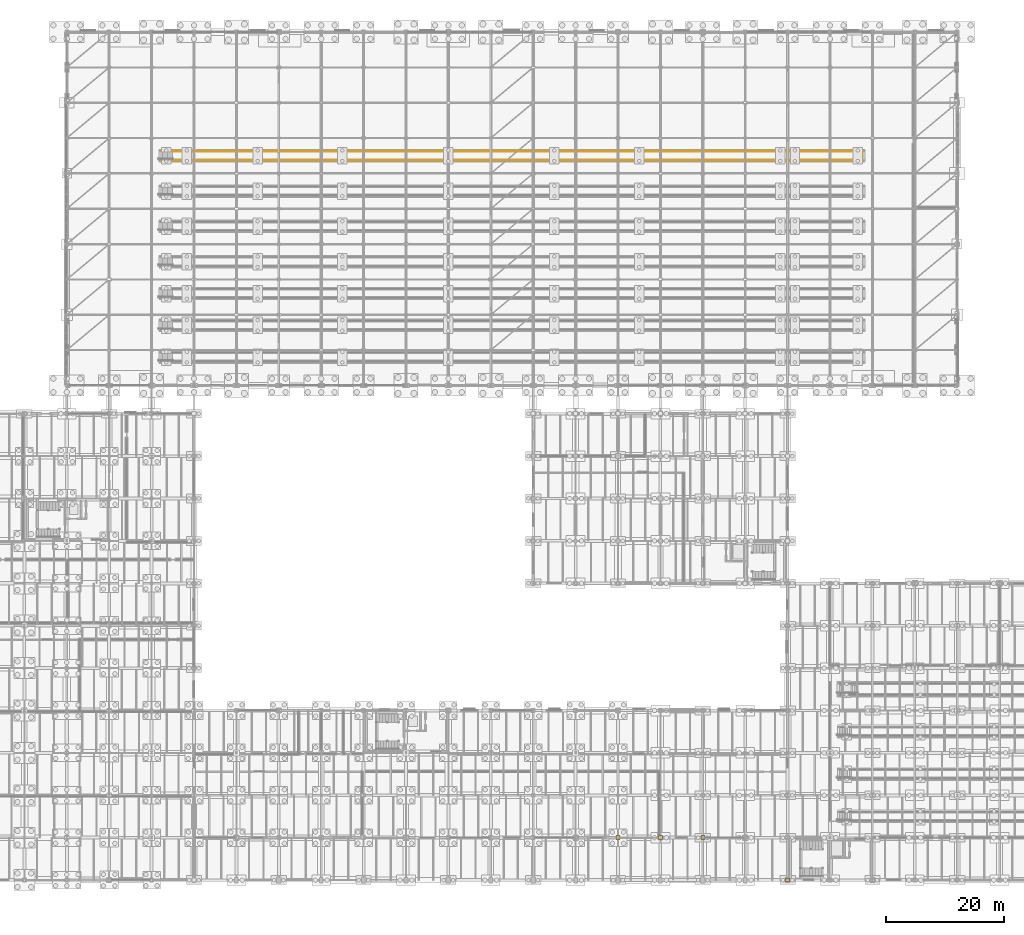
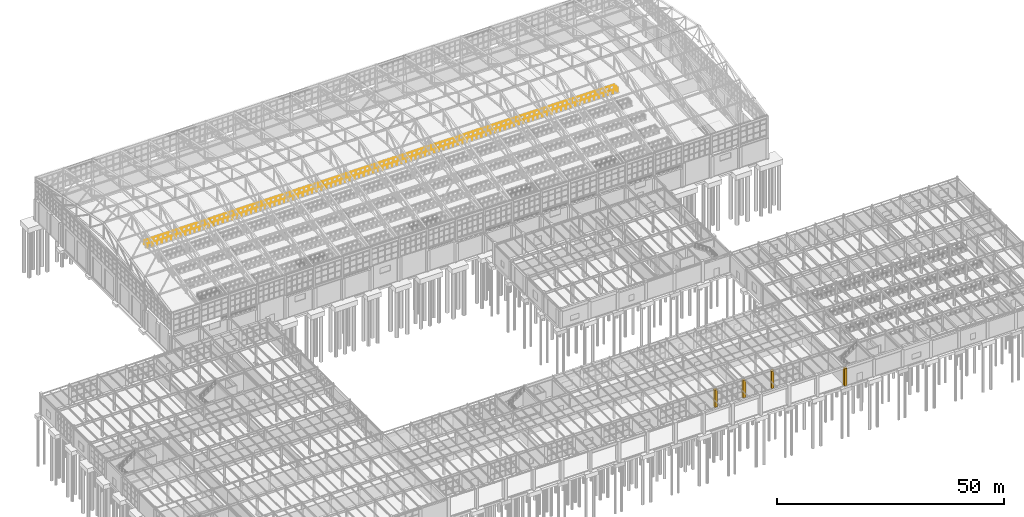
# One storey, part 288 of 293: 4 coverings, 1 railing.
"""IFC4 building model written with IfcOpenShell, lengths in metres."""

from ifc_helpers import new_model, si_unit, direction, frame, origin, origin_2d, place, context, subcontext, project, spatial, polyline, circle, outline, extrude, material, layer, layer_set, type_object, element, save


model = new_model("IFC4")

# Units and contexts
model_context = context("Model", 3, precision=1e-05, world=origin(), true_north=direction((0.0, 1.0)))
body_context = subcontext(model_context, "Body", "Model", "MODEL_VIEW")
ifc_project = project(units=[si_unit("LENGTHUNIT", "METRE"), si_unit("AREAUNIT", "SQUARE_METRE"), si_unit("VOLUMEUNIT", "CUBIC_METRE"), si_unit("PLANEANGLEUNIT", "RADIAN"), si_unit("MASSUNIT", "GRAM", prefix="KILO")], contexts=[model_context])

# Site, building, storey
site_placement = place(None, origin())
site = spatial("IfcSite", under=ifc_project, at=site_placement, CompositionType="ELEMENT")
building_placement = place(site_placement, origin())
building = spatial("IfcBuilding", under=site, at=building_placement, Name="Kemerveld Promenade Tramway Depot", CompositionType="ELEMENT")
storey_placement = place(building_placement, origin())
storey = spatial("IfcBuildingStorey", under=building, at=storey_placement, Name="L00", CompositionType="ELEMENT", Elevation=0.0)

# Coverings
ifc_material_1 = material(Name="Dressed Harare granite ashlar cladding", Category="masonry")
ifc_layer = layer(ifc_material_1, 0.050048828125)
ifc_layer_set = layer_set([ifc_layer], Name="COV-CLAD-GRAN")
covering_type = type_object("IfcCoveringType", Name="COV-CLAD-GRAN", PredefinedType="CLADDING", material=ifc_layer_set)
covering_1_placement = place(storey_placement, origin())
element("IfcCovering", 1, at=covering_1_placement, inside=storey, type_object=covering_type, Name="CLAD-PIER-L00-118", PredefinedType="CLADDING", context=body_context, shape_type="SweptSolid", body=[
    extrude(outline(polyline([(143.659912109375, 6.860107421875), (144.340087890625, 6.860107421875), (144.340087890625, 7.5400390625), (143.659912109375, 7.5400390625), (143.659912109375, 6.860107421875)])), origin(), (0.0, 0.0, 1.0), 4.64990234375),
])
covering_2_placement = place(storey_placement, origin())
element("IfcCovering", 2, at=covering_2_placement, inside=storey, type_object=covering_type, Name="CLAD-PIER-L00-119", PredefinedType="CLADDING", context=body_context, shape_type="SweptSolid", body=[
    extrude(outline(polyline([(136.4599609375, 6.860107421875), (137.139892578125, 6.860107421875), (137.139892578125, 7.5400390625), (136.4599609375, 7.5400390625), (136.4599609375, 6.860107421875)])), origin(), (0.0, 0.0, 1.0), 4.64990234375),
])
covering_3_placement = place(storey_placement, origin())
element("IfcCovering", 3, at=covering_3_placement, inside=storey, type_object=covering_type, Name="CLAD-PIER-L00-120", PredefinedType="CLADDING", context=body_context, shape_type="SweptSolid", body=[
    extrude(outline(polyline([(129.260009765625, 6.860107421875), (129.93994140625, 6.860107421875), (129.93994140625, 7.5400390625), (129.260009765625, 7.5400390625), (129.260009765625, 6.860107421875)])), origin(), (0.0, 0.0, 1.0), 4.64990234375),
])
covering_4_placement = place(storey_placement, origin())
element("IfcCovering", 4, at=covering_4_placement, inside=storey, type_object=covering_type, Name="CLAD-PIER-L00-185", PredefinedType="CLADDING", context=body_context, shape_type="SweptSolid", body=[
    extrude(outline(polyline([(158.06005859375, -0.340087890625), (158.739990234375, -0.340087890625), (158.739990234375, 0.340087890625), (158.06005859375, 0.340087890625), (158.06005859375, -0.340087890625)])), origin(), (0.0, 0.0, 1.0), 4.64990234375),
])

# Railing
ifc_material_2 = material(Name="Galvanised painted steel balustrade", Category="steel")
railing_type = type_object("IfcRailingType", Name="RL-GRD-1100", PredefinedType="GUARDRAIL", material=ifc_material_2)
railing_placement = place(storey_placement, frame((51.949951171875, 122.39501953125, 0.0)))
element("IfcRailing", 5, at=railing_placement, inside=storey, type_object=railing_type, Name="RL-PIT-PIT-07", PredefinedType="GUARDRAIL", context=body_context, shape_type="SweptSolid", body=[
    extrude(circle(Radius=0.02392578125, at=origin_2d()), frame((0.0, 0.0, 1.09619140625), z_axis=(0.0, -1.0, 0.0), x_axis=(1.0, 0.0, 0.0)), (0.0, 0.0, 1.0), 0.14501953125),
    extrude(circle(Radius=0.02392578125, at=origin_2d()), frame((0.0, -0.14501953125, 1.09619140625), z_axis=(1.0, 0.0, 0.0), x_axis=(0.0, 1.0, 0.0)), (0.0, 0.0, 1.0), 119.300048828125),
    extrude(circle(Radius=0.02392578125, at=origin_2d()), frame((119.300048828125, -0.14501953125, 1.09619140625), z_axis=(0.0, 1.0, 0.0), x_axis=(-1.0, 0.0, 0.0)), (0.0, 0.0, 1.0), 1.5),
    extrude(circle(Radius=0.02392578125, at=origin_2d()), frame((119.300048828125, 1.35498046875, 1.09619140625), z_axis=(-1.0, 0.0, 0.0), x_axis=(0.0, -1.0, 0.0)), (0.0, 0.0, 1.0), 119.300048828125),
    extrude(circle(Radius=0.02392578125, at=origin_2d()), frame((0.0, 1.35498046875, 1.09619140625), z_axis=(0.0, -1.0, 0.0), x_axis=(1.0, 0.0, 0.0)), (0.0, 0.0, 1.0), 0.14501953125),
    extrude(circle(Radius=0.02099609375, at=origin_2d()), origin(), (0.0, 0.0, 1.0), 1.072021484375),
    extrude(circle(Radius=0.02099609375, at=origin_2d()), frame((0.0, -0.14501953125, 0.0)), (0.0, 0.0, 1.0), 1.072021484375),
    extrude(circle(Radius=0.02099609375, at=origin_2d()), frame((1.193115234375, -0.14501953125, 0.0)), (0.0, 0.0, 1.0), 1.072021484375),
    extrude(circle(Radius=0.02099609375, at=origin_2d()), frame((2.385986328125, -0.14501953125, 0.0)), (0.0, 0.0, 1.0), 1.072021484375),
    extrude(circle(Radius=0.02099609375, at=origin_2d()), frame((3.5791015625, -0.14501953125, 0.0)), (0.0, 0.0, 1.0), 1.072021484375),
    extrude(circle(Radius=0.02099609375, at=origin_2d()), frame((4.77197265625, -0.14501953125, 0.0)), (0.0, 0.0, 1.0), 1.072021484375),
    extrude(circle(Radius=0.02099609375, at=origin_2d()), frame((5.965087890625, -0.14501953125, 0.0)), (0.0, 0.0, 1.0), 1.072021484375),
    extrude(circle(Radius=0.02099609375, at=origin_2d()), frame((7.157958984375, -0.14501953125, 0.0)), (0.0, 0.0, 1.0), 1.072021484375),
    extrude(circle(Radius=0.02099609375, at=origin_2d()), frame((8.35107421875, -0.14501953125, 0.0)), (0.0, 0.0, 1.0), 1.072021484375),
    extrude(circle(Radius=0.02099609375, at=origin_2d()), frame((9.5439453125, -0.14501953125, 0.0)), (0.0, 0.0, 1.0), 1.072021484375),
    extrude(circle(Radius=0.02099609375, at=origin_2d()), frame((10.737060546875, -0.14501953125, 0.0)), (0.0, 0.0, 1.0), 1.072021484375),
    extrude(circle(Radius=0.02099609375, at=origin_2d()), frame((11.929931640625, -0.14501953125, 0.0)), (0.0, 0.0, 1.0), 1.072021484375),
    extrude(circle(Radius=0.02099609375, at=origin_2d()), frame((13.123046875, -0.14501953125, 0.0)), (0.0, 0.0, 1.0), 1.072021484375),
    extrude(circle(Radius=0.02099609375, at=origin_2d()), frame((14.31591796875, -0.14501953125, 0.0)), (0.0, 0.0, 1.0), 1.072021484375),
    extrude(circle(Radius=0.02099609375, at=origin_2d()), frame((15.509033203125, -0.14501953125, 0.0)), (0.0, 0.0, 1.0), 1.072021484375),
    extrude(circle(Radius=0.02099609375, at=origin_2d()), frame((16.701904296875, -0.14501953125, 0.0)), (0.0, 0.0, 1.0), 1.072021484375),
    extrude(circle(Radius=0.02099609375, at=origin_2d()), frame((17.89501953125, -0.14501953125, 0.0)), (0.0, 0.0, 1.0), 1.072021484375),
    extrude(circle(Radius=0.02099609375, at=origin_2d()), frame((19.087890625, -0.14501953125, 0.0)), (0.0, 0.0, 1.0), 1.072021484375),
    extrude(circle(Radius=0.02099609375, at=origin_2d()), frame((20.281005859375, -0.14501953125, 0.0)), (0.0, 0.0, 1.0), 1.072021484375),
    extrude(circle(Radius=0.02099609375, at=origin_2d()), frame((21.47412109375, -0.14501953125, 0.0)), (0.0, 0.0, 1.0), 1.072021484375),
    extrude(circle(Radius=0.02099609375, at=origin_2d()), frame((22.6669921875, -0.14501953125, 0.0)), (0.0, 0.0, 1.0), 1.072021484375),
    extrude(circle(Radius=0.02099609375, at=origin_2d()), frame((23.860107421875, -0.14501953125, 0.0)), (0.0, 0.0, 1.0), 1.072021484375),
    extrude(circle(Radius=0.02099609375, at=origin_2d()), frame((25.052978515625, -0.14501953125, 0.0)), (0.0, 0.0, 1.0), 1.072021484375),
    extrude(circle(Radius=0.02099609375, at=origin_2d()), frame((26.24609375, -0.14501953125, 0.0)), (0.0, 0.0, 1.0), 1.072021484375),
    extrude(circle(Radius=0.02099609375, at=origin_2d()), frame((27.43896484375, -0.14501953125, 0.0)), (0.0, 0.0, 1.0), 1.072021484375),
    extrude(circle(Radius=0.02099609375, at=origin_2d()), frame((28.632080078125, -0.14501953125, 0.0)), (0.0, 0.0, 1.0), 1.072021484375),
    extrude(circle(Radius=0.02099609375, at=origin_2d()), frame((29.824951171875, -0.14501953125, 0.0)), (0.0, 0.0, 1.0), 1.072021484375),
    extrude(circle(Radius=0.02099609375, at=origin_2d()), frame((31.01806640625, -0.14501953125, 0.0)), (0.0, 0.0, 1.0), 1.072021484375),
    extrude(circle(Radius=0.02099609375, at=origin_2d()), frame((32.2109375, -0.14501953125, 0.0)), (0.0, 0.0, 1.0), 1.072021484375),
    extrude(circle(Radius=0.02099609375, at=origin_2d()), frame((33.404052734375, -0.14501953125, 0.0)), (0.0, 0.0, 1.0), 1.072021484375),
    extrude(circle(Radius=0.02099609375, at=origin_2d()), frame((34.596923828125, -0.14501953125, 0.0)), (0.0, 0.0, 1.0), 1.072021484375),
    extrude(circle(Radius=0.02099609375, at=origin_2d()), frame((35.7900390625, -0.14501953125, 0.0)), (0.0, 0.0, 1.0), 1.072021484375),
    extrude(circle(Radius=0.02099609375, at=origin_2d()), frame((36.98291015625, -0.14501953125, 0.0)), (0.0, 0.0, 1.0), 1.072021484375),
    extrude(circle(Radius=0.02099609375, at=origin_2d()), frame((38.176025390625, -0.14501953125, 0.0)), (0.0, 0.0, 1.0), 1.072021484375),
    extrude(circle(Radius=0.02099609375, at=origin_2d()), frame((39.368896484375, -0.14501953125, 0.0)), (0.0, 0.0, 1.0), 1.072021484375),
    extrude(circle(Radius=0.02099609375, at=origin_2d()), frame((40.56201171875, -0.14501953125, 0.0)), (0.0, 0.0, 1.0), 1.072021484375),
    extrude(circle(Radius=0.02099609375, at=origin_2d()), frame((41.755126953125, -0.14501953125, 0.0)), (0.0, 0.0, 1.0), 1.072021484375),
    extrude(circle(Radius=0.02099609375, at=origin_2d()), frame((42.947998046875, -0.14501953125, 0.0)), (0.0, 0.0, 1.0), 1.072021484375),
    extrude(circle(Radius=0.02099609375, at=origin_2d()), frame((44.14111328125, -0.14501953125, 0.0)), (0.0, 0.0, 1.0), 1.072021484375),
    extrude(circle(Radius=0.02099609375, at=origin_2d()), frame((45.333984375, -0.14501953125, 0.0)), (0.0, 0.0, 1.0), 1.072021484375),
    extrude(circle(Radius=0.02099609375, at=origin_2d()), frame((46.527099609375, -0.14501953125, 0.0)), (0.0, 0.0, 1.0), 1.072021484375),
    extrude(circle(Radius=0.02099609375, at=origin_2d()), frame((47.719970703125, -0.14501953125, 0.0)), (0.0, 0.0, 1.0), 1.072021484375),
    extrude(circle(Radius=0.02099609375, at=origin_2d()), frame((48.9130859375, -0.14501953125, 0.0)), (0.0, 0.0, 1.0), 1.072021484375),
    extrude(circle(Radius=0.02099609375, at=origin_2d()), frame((50.10595703125, -0.14501953125, 0.0)), (0.0, 0.0, 1.0), 1.072021484375),
    extrude(circle(Radius=0.02099609375, at=origin_2d()), frame((51.299072265625, -0.14501953125, 0.0)), (0.0, 0.0, 1.0), 1.072021484375),
    extrude(circle(Radius=0.02099609375, at=origin_2d()), frame((52.491943359375, -0.14501953125, 0.0)), (0.0, 0.0, 1.0), 1.072021484375),
    extrude(circle(Radius=0.02099609375, at=origin_2d()), frame((53.68505859375, -0.14501953125, 0.0)), (0.0, 0.0, 1.0), 1.072021484375),
    extrude(circle(Radius=0.02099609375, at=origin_2d()), frame((54.8779296875, -0.14501953125, 0.0)), (0.0, 0.0, 1.0), 1.072021484375),
    extrude(circle(Radius=0.02099609375, at=origin_2d()), frame((56.071044921875, -0.14501953125, 0.0)), (0.0, 0.0, 1.0), 1.072021484375),
    extrude(circle(Radius=0.02099609375, at=origin_2d()), frame((57.263916015625, -0.14501953125, 0.0)), (0.0, 0.0, 1.0), 1.072021484375),
    extrude(circle(Radius=0.02099609375, at=origin_2d()), frame((58.45703125, -0.14501953125, 0.0)), (0.0, 0.0, 1.0), 1.072021484375),
    extrude(circle(Radius=0.02099609375, at=origin_2d()), frame((59.64990234375, -0.14501953125, 0.0)), (0.0, 0.0, 1.0), 1.072021484375),
    extrude(circle(Radius=0.02099609375, at=origin_2d()), frame((60.843017578125, -0.14501953125, 0.0)), (0.0, 0.0, 1.0), 1.072021484375),
    extrude(circle(Radius=0.02099609375, at=origin_2d()), frame((62.0361328125, -0.14501953125, 0.0)), (0.0, 0.0, 1.0), 1.072021484375),
    extrude(circle(Radius=0.02099609375, at=origin_2d()), frame((63.22900390625, -0.14501953125, 0.0)), (0.0, 0.0, 1.0), 1.072021484375),
    extrude(circle(Radius=0.02099609375, at=origin_2d()), frame((64.422119140625, -0.14501953125, 0.0)), (0.0, 0.0, 1.0), 1.072021484375),
    extrude(circle(Radius=0.02099609375, at=origin_2d()), frame((65.614990234375, -0.14501953125, 0.0)), (0.0, 0.0, 1.0), 1.072021484375),
    extrude(circle(Radius=0.02099609375, at=origin_2d()), frame((66.80810546875, -0.14501953125, 0.0)), (0.0, 0.0, 1.0), 1.072021484375),
    extrude(circle(Radius=0.02099609375, at=origin_2d()), frame((68.0009765625, -0.14501953125, 0.0)), (0.0, 0.0, 1.0), 1.072021484375),
    extrude(circle(Radius=0.02099609375, at=origin_2d()), frame((69.194091796875, -0.14501953125, 0.0)), (0.0, 0.0, 1.0), 1.072021484375),
    extrude(circle(Radius=0.02099609375, at=origin_2d()), frame((70.386962890625, -0.14501953125, 0.0)), (0.0, 0.0, 1.0), 1.072021484375),
    extrude(circle(Radius=0.02099609375, at=origin_2d()), frame((71.580078125, -0.14501953125, 0.0)), (0.0, 0.0, 1.0), 1.072021484375),
    extrude(circle(Radius=0.02099609375, at=origin_2d()), frame((72.77294921875, -0.14501953125, 0.0)), (0.0, 0.0, 1.0), 1.072021484375),
    extrude(circle(Radius=0.02099609375, at=origin_2d()), frame((73.966064453125, -0.14501953125, 0.0)), (0.0, 0.0, 1.0), 1.072021484375),
    extrude(circle(Radius=0.02099609375, at=origin_2d()), frame((75.158935546875, -0.14501953125, 0.0)), (0.0, 0.0, 1.0), 1.072021484375),
    extrude(circle(Radius=0.02099609375, at=origin_2d()), frame((76.35205078125, -0.14501953125, 0.0)), (0.0, 0.0, 1.0), 1.072021484375),
    extrude(circle(Radius=0.02099609375, at=origin_2d()), frame((77.544921875, -0.14501953125, 0.0)), (0.0, 0.0, 1.0), 1.072021484375),
    extrude(circle(Radius=0.02099609375, at=origin_2d()), frame((78.738037109375, -0.14501953125, 0.0)), (0.0, 0.0, 1.0), 1.072021484375),
    extrude(circle(Radius=0.02099609375, at=origin_2d()), frame((79.93115234375, -0.14501953125, 0.0)), (0.0, 0.0, 1.0), 1.072021484375),
    extrude(circle(Radius=0.02099609375, at=origin_2d()), frame((81.1240234375, -0.14501953125, 0.0)), (0.0, 0.0, 1.0), 1.072021484375),
    extrude(circle(Radius=0.02099609375, at=origin_2d()), frame((82.317138671875, -0.14501953125, 0.0)), (0.0, 0.0, 1.0), 1.072021484375),
    extrude(circle(Radius=0.02099609375, at=origin_2d()), frame((83.510009765625, -0.14501953125, 0.0)), (0.0, 0.0, 1.0), 1.072021484375),
    extrude(circle(Radius=0.02099609375, at=origin_2d()), frame((84.703125, -0.14501953125, 0.0)), (0.0, 0.0, 1.0), 1.072021484375),
    extrude(circle(Radius=0.02099609375, at=origin_2d()), frame((85.89599609375, -0.14501953125, 0.0)), (0.0, 0.0, 1.0), 1.072021484375),
    extrude(circle(Radius=0.02099609375, at=origin_2d()), frame((87.089111328125, -0.14501953125, 0.0)), (0.0, 0.0, 1.0), 1.072021484375),
    extrude(circle(Radius=0.02099609375, at=origin_2d()), frame((88.281982421875, -0.14501953125, 0.0)), (0.0, 0.0, 1.0), 1.072021484375),
    extrude(circle(Radius=0.02099609375, at=origin_2d()), frame((89.47509765625, -0.14501953125, 0.0)), (0.0, 0.0, 1.0), 1.072021484375),
    extrude(circle(Radius=0.02099609375, at=origin_2d()), frame((90.66796875, -0.14501953125, 0.0)), (0.0, 0.0, 1.0), 1.072021484375),
    extrude(circle(Radius=0.02099609375, at=origin_2d()), frame((91.861083984375, -0.14501953125, 0.0)), (0.0, 0.0, 1.0), 1.072021484375),
    extrude(circle(Radius=0.02099609375, at=origin_2d()), frame((93.053955078125, -0.14501953125, 0.0)), (0.0, 0.0, 1.0), 1.072021484375),
    extrude(circle(Radius=0.02099609375, at=origin_2d()), frame((94.2470703125, -0.14501953125, 0.0)), (0.0, 0.0, 1.0), 1.072021484375),
    extrude(circle(Radius=0.02099609375, at=origin_2d()), frame((95.43994140625, -0.14501953125, 0.0)), (0.0, 0.0, 1.0), 1.072021484375),
    extrude(circle(Radius=0.02099609375, at=origin_2d()), frame((96.633056640625, -0.14501953125, 0.0)), (0.0, 0.0, 1.0), 1.072021484375),
    extrude(circle(Radius=0.02099609375, at=origin_2d()), frame((97.825927734375, -0.14501953125, 0.0)), (0.0, 0.0, 1.0), 1.072021484375),
    extrude(circle(Radius=0.02099609375, at=origin_2d()), frame((99.01904296875, -0.14501953125, 0.0)), (0.0, 0.0, 1.0), 1.072021484375),
    extrude(circle(Radius=0.02099609375, at=origin_2d()), frame((100.212158203125, -0.14501953125, 0.0)), (0.0, 0.0, 1.0), 1.072021484375),
    extrude(circle(Radius=0.02099609375, at=origin_2d()), frame((101.405029296875, -0.14501953125, 0.0)), (0.0, 0.0, 1.0), 1.072021484375),
    extrude(circle(Radius=0.02099609375, at=origin_2d()), frame((102.59814453125, -0.14501953125, 0.0)), (0.0, 0.0, 1.0), 1.072021484375),
    extrude(circle(Radius=0.02099609375, at=origin_2d()), frame((103.791015625, -0.14501953125, 0.0)), (0.0, 0.0, 1.0), 1.072021484375),
    extrude(circle(Radius=0.02099609375, at=origin_2d()), frame((104.984130859375, -0.14501953125, 0.0)), (0.0, 0.0, 1.0), 1.072021484375),
    extrude(circle(Radius=0.02099609375, at=origin_2d()), frame((106.177001953125, -0.14501953125, 0.0)), (0.0, 0.0, 1.0), 1.072021484375),
    extrude(circle(Radius=0.02099609375, at=origin_2d()), frame((107.3701171875, -0.14501953125, 0.0)), (0.0, 0.0, 1.0), 1.072021484375),
    extrude(circle(Radius=0.02099609375, at=origin_2d()), frame((108.56298828125, -0.14501953125, 0.0)), (0.0, 0.0, 1.0), 1.072021484375),
    extrude(circle(Radius=0.02099609375, at=origin_2d()), frame((109.756103515625, -0.14501953125, 0.0)), (0.0, 0.0, 1.0), 1.072021484375),
    extrude(circle(Radius=0.02099609375, at=origin_2d()), frame((110.948974609375, -0.14501953125, 0.0)), (0.0, 0.0, 1.0), 1.072021484375),
    extrude(circle(Radius=0.02099609375, at=origin_2d()), frame((112.14208984375, -0.14501953125, 0.0)), (0.0, 0.0, 1.0), 1.072021484375),
    extrude(circle(Radius=0.02099609375, at=origin_2d()), frame((113.3349609375, -0.14501953125, 0.0)), (0.0, 0.0, 1.0), 1.072021484375),
    extrude(circle(Radius=0.02099609375, at=origin_2d()), frame((114.528076171875, -0.14501953125, 0.0)), (0.0, 0.0, 1.0), 1.072021484375),
    extrude(circle(Radius=0.02099609375, at=origin_2d()), frame((115.720947265625, -0.14501953125, 0.0)), (0.0, 0.0, 1.0), 1.072021484375),
    extrude(circle(Radius=0.02099609375, at=origin_2d()), frame((116.9140625, -0.14501953125, 0.0)), (0.0, 0.0, 1.0), 1.072021484375),
    extrude(circle(Radius=0.02099609375, at=origin_2d()), frame((118.10693359375, -0.14501953125, 0.0)), (0.0, 0.0, 1.0), 1.072021484375),
    extrude(circle(Radius=0.02099609375, at=origin_2d()), frame((119.300048828125, -0.14501953125, 0.0)), (0.0, 0.0, 1.0), 1.072021484375),
    extrude(circle(Radius=0.02099609375, at=origin_2d()), frame((119.300048828125, 0.60498046875, 0.0)), (0.0, 0.0, 1.0), 1.072021484375),
    extrude(circle(Radius=0.02099609375, at=origin_2d()), frame((119.300048828125, 1.35498046875, 0.0)), (0.0, 0.0, 1.0), 1.072021484375),
    extrude(circle(Radius=0.02099609375, at=origin_2d()), frame((118.10693359375, 1.35498046875, 0.0)), (0.0, 0.0, 1.0), 1.072021484375),
    extrude(circle(Radius=0.02099609375, at=origin_2d()), frame((116.9140625, 1.35498046875, 0.0)), (0.0, 0.0, 1.0), 1.072021484375),
    extrude(circle(Radius=0.02099609375, at=origin_2d()), frame((115.720947265625, 1.35498046875, 0.0)), (0.0, 0.0, 1.0), 1.072021484375),
    extrude(circle(Radius=0.02099609375, at=origin_2d()), frame((114.528076171875, 1.35498046875, 0.0)), (0.0, 0.0, 1.0), 1.072021484375),
    extrude(circle(Radius=0.02099609375, at=origin_2d()), frame((113.3349609375, 1.35498046875, 0.0)), (0.0, 0.0, 1.0), 1.072021484375),
    extrude(circle(Radius=0.02099609375, at=origin_2d()), frame((112.14208984375, 1.35498046875, 0.0)), (0.0, 0.0, 1.0), 1.072021484375),
    extrude(circle(Radius=0.02099609375, at=origin_2d()), frame((110.948974609375, 1.35498046875, 0.0)), (0.0, 0.0, 1.0), 1.072021484375),
    extrude(circle(Radius=0.02099609375, at=origin_2d()), frame((109.756103515625, 1.35498046875, 0.0)), (0.0, 0.0, 1.0), 1.072021484375),
    extrude(circle(Radius=0.02099609375, at=origin_2d()), frame((108.56298828125, 1.35498046875, 0.0)), (0.0, 0.0, 1.0), 1.072021484375),
    extrude(circle(Radius=0.02099609375, at=origin_2d()), frame((107.3701171875, 1.35498046875, 0.0)), (0.0, 0.0, 1.0), 1.072021484375),
    extrude(circle(Radius=0.02099609375, at=origin_2d()), frame((106.177001953125, 1.35498046875, 0.0)), (0.0, 0.0, 1.0), 1.072021484375),
    extrude(circle(Radius=0.02099609375, at=origin_2d()), frame((104.984130859375, 1.35498046875, 0.0)), (0.0, 0.0, 1.0), 1.072021484375),
    extrude(circle(Radius=0.02099609375, at=origin_2d()), frame((103.791015625, 1.35498046875, 0.0)), (0.0, 0.0, 1.0), 1.072021484375),
    extrude(circle(Radius=0.02099609375, at=origin_2d()), frame((102.59814453125, 1.35498046875, 0.0)), (0.0, 0.0, 1.0), 1.072021484375),
    extrude(circle(Radius=0.02099609375, at=origin_2d()), frame((101.405029296875, 1.35498046875, 0.0)), (0.0, 0.0, 1.0), 1.072021484375),
    extrude(circle(Radius=0.02099609375, at=origin_2d()), frame((100.212158203125, 1.35498046875, 0.0)), (0.0, 0.0, 1.0), 1.072021484375),
    extrude(circle(Radius=0.02099609375, at=origin_2d()), frame((99.01904296875, 1.35498046875, 0.0)), (0.0, 0.0, 1.0), 1.072021484375),
    extrude(circle(Radius=0.02099609375, at=origin_2d()), frame((97.825927734375, 1.35498046875, 0.0)), (0.0, 0.0, 1.0), 1.072021484375),
    extrude(circle(Radius=0.02099609375, at=origin_2d()), frame((96.633056640625, 1.35498046875, 0.0)), (0.0, 0.0, 1.0), 1.072021484375),
    extrude(circle(Radius=0.02099609375, at=origin_2d()), frame((95.43994140625, 1.35498046875, 0.0)), (0.0, 0.0, 1.0), 1.072021484375),
    extrude(circle(Radius=0.02099609375, at=origin_2d()), frame((94.2470703125, 1.35498046875, 0.0)), (0.0, 0.0, 1.0), 1.072021484375),
    extrude(circle(Radius=0.02099609375, at=origin_2d()), frame((93.053955078125, 1.35498046875, 0.0)), (0.0, 0.0, 1.0), 1.072021484375),
    extrude(circle(Radius=0.02099609375, at=origin_2d()), frame((91.861083984375, 1.35498046875, 0.0)), (0.0, 0.0, 1.0), 1.072021484375),
    extrude(circle(Radius=0.02099609375, at=origin_2d()), frame((90.66796875, 1.35498046875, 0.0)), (0.0, 0.0, 1.0), 1.072021484375),
    extrude(circle(Radius=0.02099609375, at=origin_2d()), frame((89.47509765625, 1.35498046875, 0.0)), (0.0, 0.0, 1.0), 1.072021484375),
    extrude(circle(Radius=0.02099609375, at=origin_2d()), frame((88.281982421875, 1.35498046875, 0.0)), (0.0, 0.0, 1.0), 1.072021484375),
    extrude(circle(Radius=0.02099609375, at=origin_2d()), frame((87.089111328125, 1.35498046875, 0.0)), (0.0, 0.0, 1.0), 1.072021484375),
    extrude(circle(Radius=0.02099609375, at=origin_2d()), frame((85.89599609375, 1.35498046875, 0.0)), (0.0, 0.0, 1.0), 1.072021484375),
    extrude(circle(Radius=0.02099609375, at=origin_2d()), frame((84.703125, 1.35498046875, 0.0)), (0.0, 0.0, 1.0), 1.072021484375),
    extrude(circle(Radius=0.02099609375, at=origin_2d()), frame((83.510009765625, 1.35498046875, 0.0)), (0.0, 0.0, 1.0), 1.072021484375),
    extrude(circle(Radius=0.02099609375, at=origin_2d()), frame((82.317138671875, 1.35498046875, 0.0)), (0.0, 0.0, 1.0), 1.072021484375),
    extrude(circle(Radius=0.02099609375, at=origin_2d()), frame((81.1240234375, 1.35498046875, 0.0)), (0.0, 0.0, 1.0), 1.072021484375),
    extrude(circle(Radius=0.02099609375, at=origin_2d()), frame((79.93115234375, 1.35498046875, 0.0)), (0.0, 0.0, 1.0), 1.072021484375),
    extrude(circle(Radius=0.02099609375, at=origin_2d()), frame((78.738037109375, 1.35498046875, 0.0)), (0.0, 0.0, 1.0), 1.072021484375),
    extrude(circle(Radius=0.02099609375, at=origin_2d()), frame((77.544921875, 1.35498046875, 0.0)), (0.0, 0.0, 1.0), 1.072021484375),
    extrude(circle(Radius=0.02099609375, at=origin_2d()), frame((76.35205078125, 1.35498046875, 0.0)), (0.0, 0.0, 1.0), 1.072021484375),
    extrude(circle(Radius=0.02099609375, at=origin_2d()), frame((75.158935546875, 1.35498046875, 0.0)), (0.0, 0.0, 1.0), 1.072021484375),
    extrude(circle(Radius=0.02099609375, at=origin_2d()), frame((73.966064453125, 1.35498046875, 0.0)), (0.0, 0.0, 1.0), 1.072021484375),
    extrude(circle(Radius=0.02099609375, at=origin_2d()), frame((72.77294921875, 1.35498046875, 0.0)), (0.0, 0.0, 1.0), 1.072021484375),
    extrude(circle(Radius=0.02099609375, at=origin_2d()), frame((71.580078125, 1.35498046875, 0.0)), (0.0, 0.0, 1.0), 1.072021484375),
    extrude(circle(Radius=0.02099609375, at=origin_2d()), frame((70.386962890625, 1.35498046875, 0.0)), (0.0, 0.0, 1.0), 1.072021484375),
    extrude(circle(Radius=0.02099609375, at=origin_2d()), frame((69.194091796875, 1.35498046875, 0.0)), (0.0, 0.0, 1.0), 1.072021484375),
    extrude(circle(Radius=0.02099609375, at=origin_2d()), frame((68.0009765625, 1.35498046875, 0.0)), (0.0, 0.0, 1.0), 1.072021484375),
    extrude(circle(Radius=0.02099609375, at=origin_2d()), frame((66.80810546875, 1.35498046875, 0.0)), (0.0, 0.0, 1.0), 1.072021484375),
    extrude(circle(Radius=0.02099609375, at=origin_2d()), frame((65.614990234375, 1.35498046875, 0.0)), (0.0, 0.0, 1.0), 1.072021484375),
    extrude(circle(Radius=0.02099609375, at=origin_2d()), frame((64.422119140625, 1.35498046875, 0.0)), (0.0, 0.0, 1.0), 1.072021484375),
    extrude(circle(Radius=0.02099609375, at=origin_2d()), frame((63.22900390625, 1.35498046875, 0.0)), (0.0, 0.0, 1.0), 1.072021484375),
    extrude(circle(Radius=0.02099609375, at=origin_2d()), frame((62.0361328125, 1.35498046875, 0.0)), (0.0, 0.0, 1.0), 1.072021484375),
    extrude(circle(Radius=0.02099609375, at=origin_2d()), frame((60.843017578125, 1.35498046875, 0.0)), (0.0, 0.0, 1.0), 1.072021484375),
    extrude(circle(Radius=0.02099609375, at=origin_2d()), frame((59.64990234375, 1.35498046875, 0.0)), (0.0, 0.0, 1.0), 1.072021484375),
    extrude(circle(Radius=0.02099609375, at=origin_2d()), frame((58.45703125, 1.35498046875, 0.0)), (0.0, 0.0, 1.0), 1.072021484375),
    extrude(circle(Radius=0.02099609375, at=origin_2d()), frame((57.263916015625, 1.35498046875, 0.0)), (0.0, 0.0, 1.0), 1.072021484375),
    extrude(circle(Radius=0.02099609375, at=origin_2d()), frame((56.071044921875, 1.35498046875, 0.0)), (0.0, 0.0, 1.0), 1.072021484375),
    extrude(circle(Radius=0.02099609375, at=origin_2d()), frame((54.8779296875, 1.35498046875, 0.0)), (0.0, 0.0, 1.0), 1.072021484375),
    extrude(circle(Radius=0.02099609375, at=origin_2d()), frame((53.68505859375, 1.35498046875, 0.0)), (0.0, 0.0, 1.0), 1.072021484375),
    extrude(circle(Radius=0.02099609375, at=origin_2d()), frame((52.491943359375, 1.35498046875, 0.0)), (0.0, 0.0, 1.0), 1.072021484375),
    extrude(circle(Radius=0.02099609375, at=origin_2d()), frame((51.299072265625, 1.35498046875, 0.0)), (0.0, 0.0, 1.0), 1.072021484375),
    extrude(circle(Radius=0.02099609375, at=origin_2d()), frame((50.10595703125, 1.35498046875, 0.0)), (0.0, 0.0, 1.0), 1.072021484375),
    extrude(circle(Radius=0.02099609375, at=origin_2d()), frame((48.9130859375, 1.35498046875, 0.0)), (0.0, 0.0, 1.0), 1.072021484375),
    extrude(circle(Radius=0.02099609375, at=origin_2d()), frame((47.719970703125, 1.35498046875, 0.0)), (0.0, 0.0, 1.0), 1.072021484375),
    extrude(circle(Radius=0.02099609375, at=origin_2d()), frame((46.527099609375, 1.35498046875, 0.0)), (0.0, 0.0, 1.0), 1.072021484375),
    extrude(circle(Radius=0.02099609375, at=origin_2d()), frame((45.333984375, 1.35498046875, 0.0)), (0.0, 0.0, 1.0), 1.072021484375),
    extrude(circle(Radius=0.02099609375, at=origin_2d()), frame((44.14111328125, 1.35498046875, 0.0)), (0.0, 0.0, 1.0), 1.072021484375),
    extrude(circle(Radius=0.02099609375, at=origin_2d()), frame((42.947998046875, 1.35498046875, 0.0)), (0.0, 0.0, 1.0), 1.072021484375),
    extrude(circle(Radius=0.02099609375, at=origin_2d()), frame((41.755126953125, 1.35498046875, 0.0)), (0.0, 0.0, 1.0), 1.072021484375),
    extrude(circle(Radius=0.02099609375, at=origin_2d()), frame((40.56201171875, 1.35498046875, 0.0)), (0.0, 0.0, 1.0), 1.072021484375),
    extrude(circle(Radius=0.02099609375, at=origin_2d()), frame((39.368896484375, 1.35498046875, 0.0)), (0.0, 0.0, 1.0), 1.072021484375),
    extrude(circle(Radius=0.02099609375, at=origin_2d()), frame((38.176025390625, 1.35498046875, 0.0)), (0.0, 0.0, 1.0), 1.072021484375),
    extrude(circle(Radius=0.02099609375, at=origin_2d()), frame((36.98291015625, 1.35498046875, 0.0)), (0.0, 0.0, 1.0), 1.072021484375),
    extrude(circle(Radius=0.02099609375, at=origin_2d()), frame((35.7900390625, 1.35498046875, 0.0)), (0.0, 0.0, 1.0), 1.072021484375),
    extrude(circle(Radius=0.02099609375, at=origin_2d()), frame((34.596923828125, 1.35498046875, 0.0)), (0.0, 0.0, 1.0), 1.072021484375),
    extrude(circle(Radius=0.02099609375, at=origin_2d()), frame((33.404052734375, 1.35498046875, 0.0)), (0.0, 0.0, 1.0), 1.072021484375),
    extrude(circle(Radius=0.02099609375, at=origin_2d()), frame((32.2109375, 1.35498046875, 0.0)), (0.0, 0.0, 1.0), 1.072021484375),
    extrude(circle(Radius=0.02099609375, at=origin_2d()), frame((31.01806640625, 1.35498046875, 0.0)), (0.0, 0.0, 1.0), 1.072021484375),
    extrude(circle(Radius=0.02099609375, at=origin_2d()), frame((29.824951171875, 1.35498046875, 0.0)), (0.0, 0.0, 1.0), 1.072021484375),
    extrude(circle(Radius=0.02099609375, at=origin_2d()), frame((28.632080078125, 1.35498046875, 0.0)), (0.0, 0.0, 1.0), 1.072021484375),
    extrude(circle(Radius=0.02099609375, at=origin_2d()), frame((27.43896484375, 1.35498046875, 0.0)), (0.0, 0.0, 1.0), 1.072021484375),
    extrude(circle(Radius=0.02099609375, at=origin_2d()), frame((26.24609375, 1.35498046875, 0.0)), (0.0, 0.0, 1.0), 1.072021484375),
    extrude(circle(Radius=0.02099609375, at=origin_2d()), frame((25.052978515625, 1.35498046875, 0.0)), (0.0, 0.0, 1.0), 1.072021484375),
    extrude(circle(Radius=0.02099609375, at=origin_2d()), frame((23.860107421875, 1.35498046875, 0.0)), (0.0, 0.0, 1.0), 1.072021484375),
    extrude(circle(Radius=0.02099609375, at=origin_2d()), frame((22.6669921875, 1.35498046875, 0.0)), (0.0, 0.0, 1.0), 1.072021484375),
    extrude(circle(Radius=0.02099609375, at=origin_2d()), frame((21.47412109375, 1.35498046875, 0.0)), (0.0, 0.0, 1.0), 1.072021484375),
    extrude(circle(Radius=0.02099609375, at=origin_2d()), frame((20.281005859375, 1.35498046875, 0.0)), (0.0, 0.0, 1.0), 1.072021484375),
    extrude(circle(Radius=0.02099609375, at=origin_2d()), frame((19.087890625, 1.35498046875, 0.0)), (0.0, 0.0, 1.0), 1.072021484375),
    extrude(circle(Radius=0.02099609375, at=origin_2d()), frame((17.89501953125, 1.35498046875, 0.0)), (0.0, 0.0, 1.0), 1.072021484375),
    extrude(circle(Radius=0.02099609375, at=origin_2d()), frame((16.701904296875, 1.35498046875, 0.0)), (0.0, 0.0, 1.0), 1.072021484375),
    extrude(circle(Radius=0.02099609375, at=origin_2d()), frame((15.509033203125, 1.35498046875, 0.0)), (0.0, 0.0, 1.0), 1.072021484375),
    extrude(circle(Radius=0.02099609375, at=origin_2d()), frame((14.31591796875, 1.35498046875, 0.0)), (0.0, 0.0, 1.0), 1.072021484375),
    extrude(circle(Radius=0.02099609375, at=origin_2d()), frame((13.123046875, 1.35498046875, 0.0)), (0.0, 0.0, 1.0), 1.072021484375),
    extrude(circle(Radius=0.02099609375, at=origin_2d()), frame((11.929931640625, 1.35498046875, 0.0)), (0.0, 0.0, 1.0), 1.072021484375),
    extrude(circle(Radius=0.02099609375, at=origin_2d()), frame((10.737060546875, 1.35498046875, 0.0)), (0.0, 0.0, 1.0), 1.072021484375),
    extrude(circle(Radius=0.02099609375, at=origin_2d()), frame((9.5439453125, 1.35498046875, 0.0)), (0.0, 0.0, 1.0), 1.072021484375),
    extrude(circle(Radius=0.02099609375, at=origin_2d()), frame((8.35107421875, 1.35498046875, 0.0)), (0.0, 0.0, 1.0), 1.072021484375),
    extrude(circle(Radius=0.02099609375, at=origin_2d()), frame((7.157958984375, 1.35498046875, 0.0)), (0.0, 0.0, 1.0), 1.072021484375),
    extrude(circle(Radius=0.02099609375, at=origin_2d()), frame((5.965087890625, 1.35498046875, 0.0)), (0.0, 0.0, 1.0), 1.072021484375),
    extrude(circle(Radius=0.02099609375, at=origin_2d()), frame((4.77197265625, 1.35498046875, 0.0)), (0.0, 0.0, 1.0), 1.072021484375),
    extrude(circle(Radius=0.02099609375, at=origin_2d()), frame((3.5791015625, 1.35498046875, 0.0)), (0.0, 0.0, 1.0), 1.072021484375),
    extrude(circle(Radius=0.02099609375, at=origin_2d()), frame((2.385986328125, 1.35498046875, 0.0)), (0.0, 0.0, 1.0), 1.072021484375),
    extrude(circle(Radius=0.02099609375, at=origin_2d()), frame((1.193115234375, 1.35498046875, 0.0)), (0.0, 0.0, 1.0), 1.072021484375),
    extrude(circle(Radius=0.02099609375, at=origin_2d()), frame((0.0, 1.35498046875, 0.0)), (0.0, 0.0, 1.0), 1.072021484375),
    extrude(circle(Radius=0.02099609375, at=origin_2d()), frame((0.0, 1.2099609375, 0.0)), (0.0, 0.0, 1.0), 1.072021484375),
])

save(model, "model.ifc")
